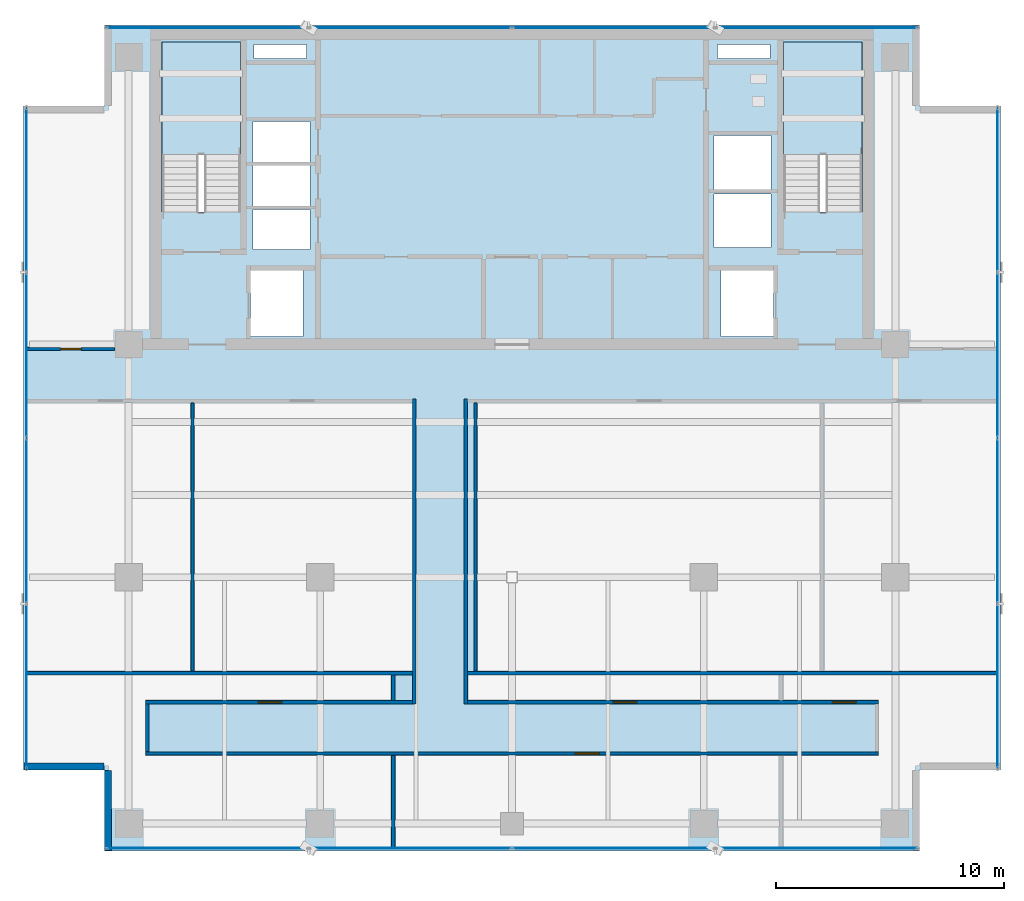
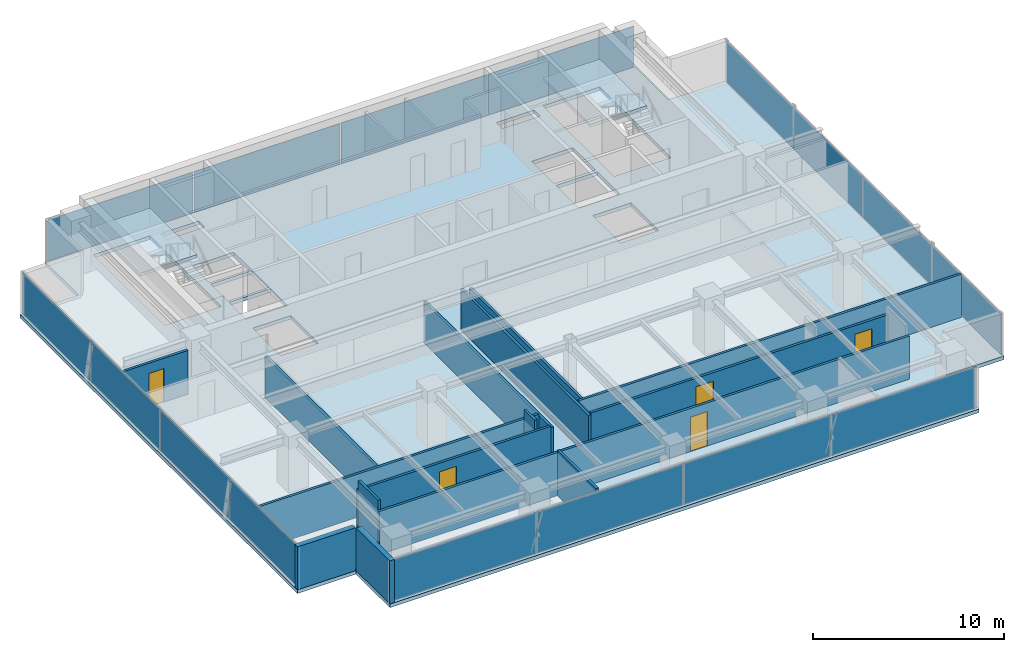
# One storey, part 14 of 22: 16 plates, 15 walls, 5 doors, 3 slabs, 5 openings, 6 elements without a shape of their own.
"""IFC4 building model written with IfcOpenShell, lengths in metres."""

from ifc_helpers import new_model, si_unit, direction, frame, frame_2d, origin, origin_2d, place, context, subcontext, project, spatial, polyline, rectangle, outline, extrude, source, transform, mapped, material, layer, layer_set, type_object, element, fill, aggregate, save


model = new_model("IFC4")

# Units and contexts
model_context = context("Model", 3, precision=1e-05, world=origin(), true_north=direction((0.0, 1.0)))
body_context = subcontext(model_context, "Body", "Model", "MODEL_VIEW")
ifc_project = project(units=[si_unit("LENGTHUNIT", "METRE"), si_unit("AREAUNIT", "SQUARE_METRE"), si_unit("VOLUMEUNIT", "CUBIC_METRE"), si_unit("PLANEANGLEUNIT", "RADIAN"), si_unit("MASSUNIT", "GRAM", prefix="KILO")], contexts=[model_context])

# Site, building, storey
site_placement = place(None, origin())
site = spatial("IfcSite", under=ifc_project, at=site_placement, CompositionType="ELEMENT")
building_placement = place(site_placement, origin())
building = spatial("IfcBuilding", under=site, at=building_placement, Name="Sumidabori Civic Tower", CompositionType="ELEMENT")
storey_placement = place(building_placement, frame((0.0, 0.0, 279.199951171875)))
storey = spatial("IfcBuildingStorey", under=building, at=storey_placement, Name="L73", CompositionType="ELEMENT", Elevation=279.199951171875)

# Stair, slab
ifc_material_1 = material(Name="Concrete C40/50", Category="concrete")
stair_type = type_object("IfcStairType", Name="ST-CORE-1600", PredefinedType="HALF_TURN_STAIR", material=ifc_material_1)
stair_1_placement = place(storey_placement, origin())
stair_1 = element("IfcStair", 1, at=stair_1_placement, inside=storey, type_object=stair_type, Name="L73 ST-1", PredefinedType="HALF_TURN_STAIR")
ifc_layer_1 = layer(ifc_material_1, 0.199951171875, Name="Concrete C40/50")
ifc_layer_set_1 = layer_set([ifc_layer_1], Name="Concrete C40/50")
slab_type_1 = type_object("IfcSlabType", Name="SL-LAND-200", PredefinedType="LANDING", material=ifc_layer_set_1)
slab_1_placement = place(storey_placement, frame((0.0, 0.0, 1.60009765625)))
slab_1 = element("IfcSlab", 2, at=slab_1_placement, type_object=slab_type_1, Name="ST-1 landing 1", PredefinedType="LANDING", context=body_context, shape_type="SweptSolid", body=[
    extrude(outline(polyline([(-11.89990234375, 18.52001953125), (-11.89990234375, 23.449951171875), (-15.340087890625, 23.449951171875), (-15.340087890625, 18.52001953125), (-11.89990234375, 18.52001953125)])), origin(), (0.0, 0.0, 1.0), 0.199951171875),
])
aggregate(stair_1, [slab_1])

stair_2_placement = place(storey_placement, origin())
stair_2 = element("IfcStair", 3, at=stair_2_placement, inside=storey, type_object=stair_type, Name="L73 ST-2", PredefinedType="HALF_TURN_STAIR")
slab_2_placement = place(storey_placement, frame((0.0, 0.0, 1.60009765625)))
slab_2 = element("IfcSlab", 4, at=slab_2_placement, type_object=slab_type_1, Name="ST-2 landing 1", PredefinedType="LANDING", context=body_context, shape_type="SweptSolid", body=[
    extrude(outline(polyline([(15.340087890625, 18.52001953125), (15.340087890625, 23.449951171875), (11.89990234375, 23.449951171875), (11.89990234375, 18.52001953125), (15.340087890625, 18.52001953125)])), origin(), (0.0, 0.0, 1.0), 0.199951171875),
])
aggregate(stair_2, [slab_2])

# Slab
ifc_layer_2 = layer(ifc_material_1, 0.22998046875, Name="Concrete C40/50")
ifc_layer_set_2 = layer_set([ifc_layer_2], Name="Concrete C40/50")
slab_type_2 = type_object("IfcSlabType", Name="SL-Z4-230", PredefinedType="FLOOR", material=ifc_layer_set_2)
slab_3_placement = place(storey_placement, frame((0.0, 0.0, -0.22998046875)))
element("IfcSlab", 5, at=slab_3_placement, inside=storey, type_object=slab_type_2, Name="Structural Slab L73", PredefinedType="FLOOR", context=body_context, shape_type="SweptSolid", body=[
    extrude(outline(polyline([(-17.85009765625, -12.0), (17.85009765625, -12.0), (17.85009765625, -8.449951171875), (21.39990234375, -8.449951171875), (21.39990234375, 20.64990234375), (17.85009765625, 20.64990234375), (17.85009765625, 24.199951171875), (-17.85009765625, 24.199951171875), (-17.85009765625, 20.64990234375), (-21.39990234375, 20.64990234375), (-21.39990234375, -8.449951171875), (-17.85009765625, -8.449951171875), (-17.85009765625, -12.0)]), holes=[polyline([(-11.89990234375, 16.0), (-11.89990234375, 23.449951171875), (-15.340087890625, 23.449951171875), (-15.340087890625, 16.0), (-11.89990234375, 16.0)]), polyline([(15.340087890625, 16.0), (15.340087890625, 23.449951171875), (11.89990234375, 23.449951171875), (11.89990234375, 16.0), (15.340087890625, 16.0)]), polyline([(-11.449951171875, 10.550048828125), (-9.14990234375, 10.550048828125), (-9.14990234375, 13.449951171875), (-11.449951171875, 13.449951171875), (-11.449951171875, 10.550048828125)]), polyline([(9.14990234375, 10.550048828125), (11.449951171875, 10.550048828125), (11.449951171875, 13.449951171875), (9.14990234375, 13.449951171875), (9.14990234375, 10.550048828125)]), polyline([(-11.35009765625, 14.35009765625), (-8.85009765625, 14.35009765625), (-8.85009765625, 16.1201171875), (-11.35009765625, 16.1201171875), (-11.35009765625, 14.35009765625)]), polyline([(-11.35009765625, 16.27001953125), (-8.85009765625, 16.27001953125), (-8.85009765625, 18.0400390625), (-11.35009765625, 18.0400390625), (-11.35009765625, 16.27001953125)]), polyline([(-11.35009765625, 18.18994140625), (-8.85009765625, 18.18994140625), (-8.85009765625, 19.9599609375), (-11.35009765625, 19.9599609375), (-11.35009765625, 18.18994140625)]), polyline([(8.85009765625, 14.449951171875), (11.35009765625, 14.449951171875), (11.35009765625, 16.800048828125), (8.85009765625, 16.800048828125), (8.85009765625, 14.449951171875)]), polyline([(8.85009765625, 17.0), (11.35009765625, 17.0), (11.35009765625, 19.35009765625), (8.85009765625, 19.35009765625), (8.85009765625, 17.0)]), polyline([(-11.300048828125, 22.719970703125), (-9.0, 22.719970703125), (-9.0, 23.35009765625), (-11.300048828125, 23.35009765625), (-11.300048828125, 22.719970703125)]), polyline([(9.0, 22.719970703125), (11.300048828125, 22.719970703125), (11.300048828125, 23.35009765625), (9.0, 23.35009765625), (9.0, 22.719970703125)])]), origin(), (0.0, 0.0, 1.0), 0.22998046875),
])

# Curtain wall, plates
ifc_material_2 = material(Name="Anodised Bronze Aluminium AW-6063-T6", Category="aluminium")
ifc_layer_3 = layer(ifc_material_2, 0.179931640625, Name="Anodised Bronze Aluminium AW-6063-T6")
ifc_layer_set_3 = layer_set([ifc_layer_3], Name="Anodised Bronze Aluminium AW-6063-T6")
curtain_wall_type = type_object("IfcCurtainWallType", Name="CW-SYS-6", PredefinedType="NOTDEFINED", material=ifc_layer_set_3)
curtain_wall_1_placement = place(storey_placement, origin())
curtain_wall_1 = element("IfcCurtainWall", 6, at=curtain_wall_1_placement, inside=storey, type_object=curtain_wall_type, Name="Curtain Wall CW:L73:R01", PredefinedType="NOTDEFINED")
ifc_material_3 = material(Name="Bronze-Tinted Laminated Crown Glazing", Category="glass")
ifc_layer_4 = layer(ifc_material_3, 0.033935546875, Name="Bronze-Tinted Laminated Crown Glazing")
ifc_layer_set_4 = layer_set([ifc_layer_4], Name="Bronze-Tinted Laminated Crown Glazing")
plate_type = type_object("IfcPlateType", Name="CW-PNL-CRN", PredefinedType="CURTAIN_PANEL", material=ifc_layer_set_4)
shared_shape_1 = source(origin(), body_context, "Body", "SweptSolid", [
    extrude(rectangle(XDim=8.804931640625, YDim=0.033935546875, at=origin_2d()), origin(), (0.0, 0.0, 1.0), 2.6201171875),
])
plate_1_placement = place(storey_placement, frame((-13.347412109375, -11.8798828125, 0.06494140625), z_axis=(0.0, 0.0, 1.0), x_axis=(1.0, 0.0, 0.0)))
plate_1 = element("IfcPlate", 7, at=plate_1_placement, type_object=plate_type, Name="CW-6 panel 1.1", PredefinedType="CURTAIN_PANEL", context=body_context, shape_type="MappedRepresentation", body=[
    mapped(shared_shape_1, transform((0.0, 0.0, 0.0), x_axis=(1.0, 0.0, 0.0), y_axis=(0.0, 1.0, 0.0), z_axis=(0.0, 0.0, 1.0), scale=1.0)),
])
plate_2_placement = place(storey_placement, frame((13.347412109375, -11.8798828125, 0.06494140625), z_axis=(0.0, 0.0, 1.0), x_axis=(1.0, 0.0, 0.0)))
plate_2 = element("IfcPlate", 8, at=plate_2_placement, type_object=plate_type, Name="CW-6 panel 4.1", PredefinedType="CURTAIN_PANEL", context=body_context, shape_type="MappedRepresentation", body=[
    mapped(shared_shape_1, transform((0.0, 0.0, 0.0), x_axis=(1.0, 0.0, 0.0), y_axis=(0.0, 1.0, 0.0), z_axis=(0.0, 0.0, 1.0), scale=1.0)),
])

curtain_wall_2_placement = place(storey_placement, origin())
curtain_wall_2 = element("IfcCurtainWall", 9, at=curtain_wall_2_placement, inside=storey, type_object=curtain_wall_type, Name="Curtain Wall CW:L73:R07", PredefinedType="NOTDEFINED")
plate_3_placement = place(storey_placement, frame((13.347412109375, 24.080078125, 0.06494140625), z_axis=(0.0, 0.0, 1.0), x_axis=(-1.0, 0.0, 0.0)))
plate_3 = element("IfcPlate", 10, at=plate_3_placement, type_object=plate_type, Name="CW-6 panel 1.1", PredefinedType="CURTAIN_PANEL", context=body_context, shape_type="MappedRepresentation", body=[
    mapped(shared_shape_1, transform((0.0, 0.0, 0.0), x_axis=(1.0, 0.0, 0.0), y_axis=(0.0, 1.0, 0.0), z_axis=(0.0, 0.0, 1.0), scale=1.0)),
])
plate_4_placement = place(storey_placement, frame((-13.347412109375, 24.080078125, 0.06494140625), z_axis=(0.0, 0.0, 1.0), x_axis=(-1.0, 0.0, 0.0)))
plate_4 = element("IfcPlate", 11, at=plate_4_placement, type_object=plate_type, Name="CW-6 panel 4.1", PredefinedType="CURTAIN_PANEL", context=body_context, shape_type="MappedRepresentation", body=[
    mapped(shared_shape_1, transform((0.0, 0.0, 0.0), x_axis=(1.0, 0.0, 0.0), y_axis=(0.0, 1.0, 0.0), z_axis=(0.0, 0.0, 1.0), scale=1.0)),
])

# Plate
shared_shape_2 = source(origin(), body_context, "Body", "SweptSolid", [
    extrude(rectangle(XDim=8.840087890625, YDim=0.033935546875, at=origin_2d()), origin(), (0.0, 0.0, 1.0), 2.6201171875),
])
plate_5_placement = place(storey_placement, frame((-4.455078125, -11.8798828125, 0.06494140625), z_axis=(0.0, 0.0, 1.0), x_axis=(1.0, 0.0, 0.0)))
plate_5 = element("IfcPlate", 12, at=plate_5_placement, type_object=plate_type, Name="CW-6 panel 2.1", PredefinedType="CURTAIN_PANEL", context=body_context, shape_type="MappedRepresentation", body=[
    mapped(shared_shape_2, transform((0.0, 0.0, 0.0), x_axis=(1.0, 0.0, 0.0), y_axis=(0.0, 1.0, 0.0), z_axis=(0.0, 0.0, 1.0), scale=1.0)),
])

plate_6_placement = place(storey_placement, frame((4.455078125, -11.8798828125, 0.06494140625), z_axis=(0.0, 0.0, 1.0), x_axis=(1.0, 0.0, 0.0)))
plate_6 = element("IfcPlate", 13, at=plate_6_placement, type_object=plate_type, Name="CW-6 panel 3.1", PredefinedType="CURTAIN_PANEL", context=body_context, shape_type="MappedRepresentation", body=[
    mapped(shared_shape_2, transform((0.0, 0.0, 0.0), x_axis=(1.0, 0.0, 0.0), y_axis=(0.0, 1.0, 0.0), z_axis=(0.0, 0.0, 1.0), scale=1.0)),
])

aggregate(curtain_wall_1, [plate_1, plate_5, plate_6, plate_2])

plate_7_placement = place(storey_placement, frame((4.455078125, 24.080078125, 0.06494140625), z_axis=(0.0, 0.0, 1.0), x_axis=(-1.0, 0.0, 0.0)))
plate_7 = element("IfcPlate", 14, at=plate_7_placement, type_object=plate_type, Name="CW-6 panel 2.1", PredefinedType="CURTAIN_PANEL", context=body_context, shape_type="MappedRepresentation", body=[
    mapped(shared_shape_2, transform((0.0, 0.0, 0.0), x_axis=(1.0, 0.0, 0.0), y_axis=(0.0, 1.0, 0.0), z_axis=(0.0, 0.0, 1.0), scale=1.0)),
])

plate_8_placement = place(storey_placement, frame((-4.455078125, 24.080078125, 0.06494140625), z_axis=(0.0, 0.0, 1.0), x_axis=(-1.0, 0.0, 0.0)))
plate_8 = element("IfcPlate", 15, at=plate_8_placement, type_object=plate_type, Name="CW-6 panel 3.1", PredefinedType="CURTAIN_PANEL", context=body_context, shape_type="MappedRepresentation", body=[
    mapped(shared_shape_2, transform((0.0, 0.0, 0.0), x_axis=(1.0, 0.0, 0.0), y_axis=(0.0, 1.0, 0.0), z_axis=(0.0, 0.0, 1.0), scale=1.0)),
])

aggregate(curtain_wall_2, [plate_3, plate_7, plate_8, plate_4])

# Curtain wall, plates
curtain_wall_3_placement = place(storey_placement, origin())
curtain_wall_3 = element("IfcCurtainWall", 16, at=curtain_wall_3_placement, inside=storey, type_object=curtain_wall_type, Name="Curtain Wall CW:L73:R04", PredefinedType="NOTDEFINED")
shared_shape_3 = source(origin(), body_context, "Body", "SweptSolid", [
    extrude(rectangle(XDim=7.155029296875, YDim=0.033935546875, at=origin_2d()), origin(), (0.0, 0.0, 1.0), 2.6201171875),
])
plate_9_placement = place(storey_placement, frame((21.280029296875, -4.7724609375, 0.06494140625), z_axis=(0.0, 0.0, 1.0), x_axis=(0.0, 1.0, 0.0)))
plate_9 = element("IfcPlate", 17, at=plate_9_placement, type_object=plate_type, Name="CW-6 panel 1.1", PredefinedType="CURTAIN_PANEL", context=body_context, shape_type="MappedRepresentation", body=[
    mapped(shared_shape_3, transform((0.0, 0.0, 0.0), x_axis=(1.0, 0.0, 0.0), y_axis=(0.0, 1.0, 0.0), z_axis=(0.0, 0.0, 1.0), scale=1.0)),
])
plate_10_placement = place(storey_placement, frame((21.280029296875, 16.972412109375, 0.06494140625), z_axis=(0.0, 0.0, 1.0), x_axis=(0.0, 1.0, 0.0)))
plate_10 = element("IfcPlate", 18, at=plate_10_placement, type_object=plate_type, Name="CW-6 panel 4.1", PredefinedType="CURTAIN_PANEL", context=body_context, shape_type="MappedRepresentation", body=[
    mapped(shared_shape_3, transform((0.0, 0.0, 0.0), x_axis=(1.0, 0.0, 0.0), y_axis=(0.0, 1.0, 0.0), z_axis=(0.0, 0.0, 1.0), scale=1.0)),
])

curtain_wall_4_placement = place(storey_placement, origin())
curtain_wall_4 = element("IfcCurtainWall", 19, at=curtain_wall_4_placement, inside=storey, type_object=curtain_wall_type, Name="Curtain Wall CW:L73:R10", PredefinedType="NOTDEFINED")
plate_11_placement = place(storey_placement, frame((-21.280029296875, 16.972412109375, 0.06494140625), z_axis=(0.0, 0.0, 1.0), x_axis=(0.0, -1.0, 0.0)))
plate_11 = element("IfcPlate", 20, at=plate_11_placement, type_object=plate_type, Name="CW-6 panel 1.1", PredefinedType="CURTAIN_PANEL", context=body_context, shape_type="MappedRepresentation", body=[
    mapped(shared_shape_3, transform((0.0, 0.0, 0.0), x_axis=(1.0, 0.0, 0.0), y_axis=(0.0, 1.0, 0.0), z_axis=(0.0, 0.0, 1.0), scale=1.0)),
])
plate_12_placement = place(storey_placement, frame((-21.280029296875, -4.7724609375, 0.06494140625), z_axis=(0.0, 0.0, 1.0), x_axis=(0.0, -1.0, 0.0)))
plate_12 = element("IfcPlate", 21, at=plate_12_placement, type_object=plate_type, Name="CW-6 panel 4.1", PredefinedType="CURTAIN_PANEL", context=body_context, shape_type="MappedRepresentation", body=[
    mapped(shared_shape_3, transform((0.0, 0.0, 0.0), x_axis=(1.0, 0.0, 0.0), y_axis=(0.0, 1.0, 0.0), z_axis=(0.0, 0.0, 1.0), scale=1.0)),
])

# Plate
shared_shape_4 = source(origin(), body_context, "Body", "SweptSolid", [
    extrude(rectangle(XDim=7.18994140625, YDim=0.033935546875, at=origin_2d()), origin(), (0.0, 0.0, 1.0), 2.6201171875),
])
plate_13_placement = place(storey_placement, frame((21.280029296875, 2.469970703125, 0.06494140625), z_axis=(0.0, 0.0, 1.0), x_axis=(0.0, 1.0, 0.0)))
plate_13 = element("IfcPlate", 22, at=plate_13_placement, type_object=plate_type, Name="CW-6 panel 2.1", PredefinedType="CURTAIN_PANEL", context=body_context, shape_type="MappedRepresentation", body=[
    mapped(shared_shape_4, transform((0.0, 0.0, 0.0), x_axis=(1.0, 0.0, 0.0), y_axis=(0.0, 1.0, 0.0), z_axis=(0.0, 0.0, 1.0), scale=1.0)),
])

plate_14_placement = place(storey_placement, frame((21.280029296875, 9.72998046875, 0.06494140625), z_axis=(0.0, 0.0, 1.0), x_axis=(0.0, 1.0, 0.0)))
plate_14 = element("IfcPlate", 23, at=plate_14_placement, type_object=plate_type, Name="CW-6 panel 3.1", PredefinedType="CURTAIN_PANEL", context=body_context, shape_type="MappedRepresentation", body=[
    mapped(shared_shape_4, transform((0.0, 0.0, 0.0), x_axis=(1.0, 0.0, 0.0), y_axis=(0.0, 1.0, 0.0), z_axis=(0.0, 0.0, 1.0), scale=1.0)),
])

aggregate(curtain_wall_3, [plate_9, plate_13, plate_14, plate_10])

plate_15_placement = place(storey_placement, frame((-21.280029296875, 9.72998046875, 0.06494140625), z_axis=(0.0, 0.0, 1.0), x_axis=(0.0, -1.0, 0.0)))
plate_15 = element("IfcPlate", 24, at=plate_15_placement, type_object=plate_type, Name="CW-6 panel 2.1", PredefinedType="CURTAIN_PANEL", context=body_context, shape_type="MappedRepresentation", body=[
    mapped(shared_shape_4, transform((0.0, 0.0, 0.0), x_axis=(1.0, 0.0, 0.0), y_axis=(0.0, 1.0, 0.0), z_axis=(0.0, 0.0, 1.0), scale=1.0)),
])

plate_16_placement = place(storey_placement, frame((-21.280029296875, 2.469970703125, 0.06494140625), z_axis=(0.0, 0.0, 1.0), x_axis=(0.0, -1.0, 0.0)))
plate_16 = element("IfcPlate", 25, at=plate_16_placement, type_object=plate_type, Name="CW-6 panel 3.1", PredefinedType="CURTAIN_PANEL", context=body_context, shape_type="MappedRepresentation", body=[
    mapped(shared_shape_4, transform((0.0, 0.0, 0.0), x_axis=(1.0, 0.0, 0.0), y_axis=(0.0, 1.0, 0.0), z_axis=(0.0, 0.0, 1.0), scale=1.0)),
])

aggregate(curtain_wall_4, [plate_11, plate_15, plate_16, plate_12])

# Walls
ifc_material_4 = material(Name="Precast concrete C40/50", Category="concrete")
ifc_layer_5 = layer(ifc_material_4, 0.300048828125, Name="Precast concrete C40/50")
ifc_layer_set_5 = layer_set([ifc_layer_5], Name="Precast concrete C40/50")
wall_type_1 = type_object("IfcWallType", Name="WL-EXT-POD300", PredefinedType="STANDARD", material=ifc_layer_set_5)
shared_shape_5 = source(origin(), body_context, "Body", "SweptSolid", [
    extrude(rectangle(XDim=3.510009765625, YDim=0.300048828125, at=frame_2d((1.7548828125, 0.0))), origin(), (0.0, 0.0, 1.0), 2.75),
])
wall_1_placement = place(storey_placement, frame((-17.699951171875, -8.469970703125, 0.0), z_axis=(0.0, 0.0, 1.0), x_axis=(0.0, -1.0, 0.0)))
element("IfcWall", 26, at=wall_1_placement, inside=storey, type_object=wall_type_1, Name="Notched Corner Spandrel Band L73-12", PredefinedType="STANDARD", context=body_context, shape_type="MappedRepresentation", body=[
    mapped(shared_shape_5, transform((0.0, 0.0, 0.0), x_axis=(1.0, 0.0, 0.0), y_axis=(0.0, 1.0, 0.0), z_axis=(0.0, 0.0, 1.0), scale=1.0)),
])
shared_shape_6 = source(origin(), body_context, "Body", "SweptSolid", [
    extrude(rectangle(XDim=3.509765625, YDim=0.300048828125, at=frame_2d((1.7548828125, 0.0))), origin(), (0.0, 0.0, 1.0), 2.75),
])
wall_2_placement = place(storey_placement, frame((-21.3798828125, -8.300048828125, 0.0), z_axis=(0.0, 0.0, 1.0), x_axis=(1.0, 0.0, 0.0)))
element("IfcWall", 27, at=wall_2_placement, inside=storey, type_object=wall_type_1, Name="Notched Corner Spandrel Band L73-11", PredefinedType="STANDARD", context=body_context, shape_type="MappedRepresentation", body=[
    mapped(shared_shape_6, transform((0.0, 0.0, 0.0), x_axis=(1.0, 0.0, 0.0), y_axis=(0.0, 1.0, 0.0), z_axis=(0.0, 0.0, 1.0), scale=1.0)),
])

# Wall, opening, door
ifc_material_5 = material(Name="Gypsum Plasterboard Acoustic Partition")
ifc_layer_6 = layer(ifc_material_5, 0.14990234375, Name="Gypsum Plasterboard Acoustic Partition")
ifc_layer_set_6 = layer_set([ifc_layer_6], Name="Gypsum Plasterboard Acoustic Partition")
wall_type_2 = type_object("IfcWallType", Name="WL-PART-150", PredefinedType="PARTITIONING", material=ifc_layer_set_6)
shared_shape_7 = source(origin(), body_context, "Body", "SweptSolid", [
    extrude(rectangle(XDim=3.840087890625, YDim=0.14990234375, at=frame_2d((1.919921875, 0.0))), origin(), (0.0, 0.0, 1.0), 2.804931640625),
])
wall_3_placement = place(storey_placement, frame((-21.25, 10.0, 0.0), z_axis=(0.0, 0.0, 1.0), x_axis=(1.0, 0.0, 0.0)))
wall_3 = element("IfcWall", 28, at=wall_3_placement, inside=storey, type_object=wall_type_2, Name="Interior Partition WL:L73:FLK-NW", PredefinedType="PARTITIONING", context=body_context, shape_type="MappedRepresentation", body=[
    mapped(shared_shape_7, transform((0.0, 0.0, 0.0), x_axis=(1.0, 0.0, 0.0), y_axis=(0.0, 1.0, 0.0), z_axis=(0.0, 0.0, 1.0), scale=1.0)),
])
opening_1_placement = place(wall_3_placement, frame((1.469970703125, 0.0, 0.0)))
opening_1 = element("IfcOpeningElement", 29, at=opening_1_placement, cuts=wall_3, Name="Opening DR-1", PredefinedType="OPENING", context=body_context, shape_type="SweptSolid", body=[
    extrude(rectangle(XDim=0.89990234375, YDim=2.14990234375, at=frame_2d((0.449951171875, 1.074951171875))), frame((0.0, 0.0869140625, 0.0), z_axis=(0.0, -1.0, 0.0), x_axis=(1.0, 0.0, 0.0)), (0.0, 0.0, 1.0), 0.173828125),
])
ifc_material_6 = material(Name="Japanese Hinoki Timber", Category="wood")
door_type_1 = type_object("IfcDoorType", Name="DR-INT-900", OperationType="NOTDEFINED", PredefinedType="DOOR", material=ifc_material_6)
shared_shape_8 = source(origin(), body_context, "Body", "SweptSolid", [
    extrude(rectangle(XDim=0.89990234375, YDim=2.14990234375, at=frame_2d((0.449951171875, 1.074951171875))), frame((0.0, 0.02490234375, 0.0), z_axis=(0.0, -1.0, 0.0), x_axis=(1.0, 0.0, 0.0)), (0.0, 0.0, 1.0), 0.050048828125),
])
door_1_placement = place(opening_1_placement, origin())
door_1 = element("IfcDoor", 30, at=door_1_placement, inside=storey, type_object=door_type_1, Name="Door DR:L73:FLK-NW", OperationType="SINGLE_SWING_LEFT", OverallHeight=2.14990234375, OverallWidth=0.89990234375, PredefinedType="DOOR", context=body_context, shape_type="MappedRepresentation", body=[
    mapped(shared_shape_8, transform((0.0, 0.0, 0.0), x_axis=(1.0, 0.0, 0.0), y_axis=(0.0, 1.0, 0.0), z_axis=(0.0, 0.0, 1.0), scale=1.0)),
])
fill(opening_1, door_1)

shared_shape_9 = source(origin(), body_context, "Body", "SweptSolid", [
    extrude(rectangle(XDim=11.699951171875, YDim=0.14990234375, at=frame_2d((5.85009765625, 0.0))), origin(), (0.0, 0.0, 1.0), 2.755126953125),
])
wall_4_placement = place(storey_placement, frame((-16.050048828125, -5.47509765625, 0.0), z_axis=(0.0, 0.0, 1.0), x_axis=(1.0, 0.0, 0.0)))
wall_4 = element("IfcWall", 31, at=wall_4_placement, inside=storey, type_object=wall_type_2, Name="Interior Partition WL:L73:CORR-MNW", PredefinedType="PARTITIONING", context=body_context, shape_type="MappedRepresentation", body=[
    mapped(shared_shape_9, transform((0.0, 0.0, 0.0), x_axis=(1.0, 0.0, 0.0), y_axis=(0.0, 1.0, 0.0), z_axis=(0.0, 0.0, 1.0), scale=1.0)),
])
opening_2_placement = place(wall_4_placement, frame((4.927490234375, 0.0, 0.0)))
opening_2 = element("IfcOpeningElement", 32, at=opening_2_placement, cuts=wall_4, Name="Opening DR-4", PredefinedType="OPENING", context=body_context, shape_type="SweptSolid", body=[
    extrude(rectangle(XDim=1.0400390625, YDim=2.199951171875, at=frame_2d((0.52001953125, 1.10009765625))), frame((0.0, 0.0869140625, 0.0), z_axis=(0.0, -1.0, 0.0), x_axis=(1.0, 0.0, 0.0)), (0.0, 0.0, 1.0), 0.173828125),
])
door_type_2 = type_object("IfcDoorType", Name="DR-INT-1040", OperationType="NOTDEFINED", PredefinedType="DOOR", material=ifc_material_6)
shared_shape_10 = source(origin(), body_context, "Body", "SweptSolid", [
    extrude(rectangle(XDim=1.0400390625, YDim=2.199951171875, at=frame_2d((0.52001953125, 1.10009765625))), frame((0.0, 0.02490234375, 0.0), z_axis=(0.0, -1.0, 0.0), x_axis=(1.0, 0.0, 0.0)), (0.0, 0.0, 1.0), 0.050048828125),
])
door_2_placement = place(opening_2_placement, origin())
door_2 = element("IfcDoor", 33, at=door_2_placement, inside=storey, type_object=door_type_2, Name="Door DR:L73:D09", OperationType="SINGLE_SWING_LEFT", OverallHeight=2.199951171875, OverallWidth=1.0400390625, PredefinedType="DOOR", context=body_context, shape_type="MappedRepresentation", body=[
    mapped(shared_shape_10, transform((0.0, 0.0, 0.0), x_axis=(1.0, 0.0, 0.0), y_axis=(0.0, 1.0, 0.0), z_axis=(0.0, 0.0, 1.0), scale=1.0)),
])
fill(opening_2, door_2)

# Wall, openings, doors
shared_shape_11 = source(origin(), body_context, "Body", "SweptSolid", [
    extrude(rectangle(XDim=18.0, YDim=0.14990234375, at=frame_2d((9.0, 0.0))), origin(), (0.0, 0.0, 1.0), 2.755126953125),
])
wall_5_placement = place(storey_placement, frame((-1.949951171875, -5.47509765625, 0.0), z_axis=(0.0, 0.0, 1.0), x_axis=(1.0, 0.0, 0.0)))
wall_5 = element("IfcWall", 34, at=wall_5_placement, inside=storey, type_object=wall_type_2, Name="Interior Partition WL:L73:CORR-MNE", PredefinedType="PARTITIONING", context=body_context, shape_type="MappedRepresentation", body=[
    mapped(shared_shape_11, transform((0.0, 0.0, 0.0), x_axis=(1.0, 0.0, 0.0), y_axis=(0.0, 1.0, 0.0), z_axis=(0.0, 0.0, 1.0), scale=1.0)),
])
opening_3_placement = place(wall_5_placement, frame((6.37744140625, 0.0, 0.0)))
opening_3 = element("IfcOpeningElement", 35, at=opening_3_placement, cuts=wall_5, Name="Opening DR-4", PredefinedType="OPENING", context=body_context, shape_type="SweptSolid", body=[
    extrude(rectangle(XDim=1.0400390625, YDim=2.199951171875, at=frame_2d((0.52001953125, 1.10009765625))), frame((0.0, 0.0869140625, 0.0), z_axis=(0.0, -1.0, 0.0), x_axis=(1.0, 0.0, 0.0)), (0.0, 0.0, 1.0), 0.173828125),
])
opening_4_placement = place(wall_5_placement, frame((15.992431640625, 0.0, 0.0)))
opening_4 = element("IfcOpeningElement", 36, at=opening_4_placement, cuts=wall_5, Name="Opening DR-4", PredefinedType="OPENING", context=body_context, shape_type="SweptSolid", body=[
    extrude(rectangle(XDim=1.0400390625, YDim=2.199951171875, at=frame_2d((0.52001953125, 1.10009765625))), frame((0.0, 0.0869140625, 0.0), z_axis=(0.0, -1.0, 0.0), x_axis=(1.0, 0.0, 0.0)), (0.0, 0.0, 1.0), 0.173828125),
])
door_3_placement = place(opening_3_placement, origin())
door_3 = element("IfcDoor", 37, at=door_3_placement, inside=storey, type_object=door_type_2, Name="Door DR:L73:D07", OperationType="SINGLE_SWING_LEFT", OverallHeight=2.199951171875, OverallWidth=1.0400390625, PredefinedType="DOOR", context=body_context, shape_type="MappedRepresentation", body=[
    mapped(shared_shape_10, transform((0.0, 0.0, 0.0), x_axis=(1.0, 0.0, 0.0), y_axis=(0.0, 1.0, 0.0), z_axis=(0.0, 0.0, 1.0), scale=1.0)),
])
fill(opening_3, door_3)
door_4_placement = place(opening_4_placement, origin())
door_4 = element("IfcDoor", 38, at=door_4_placement, inside=storey, type_object=door_type_2, Name="Door DR:L73:D08", OperationType="SINGLE_SWING_RIGHT", OverallHeight=2.199951171875, OverallWidth=1.0400390625, PredefinedType="DOOR", context=body_context, shape_type="MappedRepresentation", body=[
    mapped(shared_shape_10, transform((0.0, 0.0, 0.0), x_axis=(1.0, 0.0, 0.0), y_axis=(0.0, 1.0, 0.0), z_axis=(0.0, 0.0, 1.0), scale=1.0)),
])
fill(opening_4, door_4)

# Wall, opening, door
shared_shape_12 = source(origin(), body_context, "Body", "SweptSolid", [
    extrude(rectangle(XDim=32.10009765625, YDim=0.14990234375, at=frame_2d((16.050048828125, 0.0))), origin(), (0.0, 0.0, 1.0), 2.755126953125),
])
wall_6_placement = place(storey_placement, frame((-16.050048828125, -7.72509765625, 0.0), z_axis=(0.0, 0.0, 1.0), x_axis=(1.0, 0.0, 0.0)))
wall_6 = element("IfcWall", 39, at=wall_6_placement, inside=storey, type_object=wall_type_2, Name="Interior Partition WL:L73:CORR-SS", PredefinedType="PARTITIONING", context=body_context, shape_type="MappedRepresentation", body=[
    mapped(shared_shape_12, transform((0.0, 0.0, 0.0), x_axis=(1.0, 0.0, 0.0), y_axis=(0.0, 1.0, 0.0), z_axis=(0.0, 0.0, 1.0), scale=1.0)),
])
opening_5_placement = place(wall_6_placement, frame((18.830078125, 0.0, 0.0)))
opening_5 = element("IfcOpeningElement", 40, at=opening_5_placement, cuts=wall_6, Name="Opening DR-4", PredefinedType="OPENING", context=body_context, shape_type="SweptSolid", body=[
    extrude(rectangle(XDim=1.0400390625, YDim=2.199951171875, at=frame_2d((0.52001953125, 1.10009765625))), frame((0.0, 0.0869140625, 0.0), z_axis=(0.0, -1.0, 0.0), x_axis=(1.0, 0.0, 0.0)), (0.0, 0.0, 1.0), 0.173828125),
])
door_5_placement = place(opening_5_placement, origin())
door_5 = element("IfcDoor", 41, at=door_5_placement, inside=storey, type_object=door_type_2, Name="Door DR:L73:D10", OperationType="SINGLE_SWING_RIGHT", OverallHeight=2.199951171875, OverallWidth=1.0400390625, PredefinedType="DOOR", context=body_context, shape_type="MappedRepresentation", body=[
    mapped(shared_shape_10, transform((0.0, 0.0, 0.0), x_axis=(1.0, 0.0, 0.0), y_axis=(0.0, 1.0, 0.0), z_axis=(0.0, 0.0, 1.0), scale=1.0)),
])
fill(opening_5, door_5)

# Walls
shared_shape_13 = source(origin(), body_context, "Body", "SweptSolid", [
    extrude(rectangle(XDim=13.35009765625, YDim=0.14990234375, at=frame_2d((6.675048828125, 0.0))), origin(), (0.0, 0.0, 1.0), 2.655029296875),
])
for number, where, z_axis, x_axis, name in (
    (42, (-4.27490234375, -5.550048828125, 0.0), (0.0, 0.0, 1.0), (0.0, 1.0, 0.0), "Interior Partition WL:L73:CORR-VC-W"),
    (43, (-2.02490234375, -5.550048828125, 0.0), (0.0, 0.0, 1.0), (0.0, 1.0, 0.0), "Interior Partition WL:L73:CORR-VC-E"),
):
    element("IfcWall", number, at=place(storey_placement, frame(where, z_axis=z_axis, x_axis=x_axis)), inside=storey, type_object=wall_type_2, Name=name, PredefinedType="PARTITIONING", context=body_context, shape_type="MappedRepresentation", body=[
        mapped(shared_shape_13, transform((0.0, 0.0, 0.0), x_axis=(1.0, 0.0, 0.0), y_axis=(0.0, 1.0, 0.0), z_axis=(0.0, 0.0, 1.0), scale=1.0)),
    ])
shared_shape_14 = source(origin(), body_context, "Body", "SweptSolid", [
    extrude(rectangle(XDim=2.090087890625, YDim=0.14990234375, at=frame_2d((1.044921875, 0.0))), origin(), (0.0, 0.0, 1.0), 3.3701171875),
])
wall_7_placement = place(storey_placement, frame((-15.97509765625, -7.64501953125, 0.0), z_axis=(0.0, 0.0, 1.0), x_axis=(0.0, 1.0, 0.0)))
element("IfcWall", 44, at=wall_7_placement, inside=storey, type_object=wall_type_2, Name="Interior Partition WL:L73:CORR-VSW", PredefinedType="PARTITIONING", context=body_context, shape_type="MappedRepresentation", body=[
    mapped(shared_shape_14, transform((0.0, 0.0, 0.0), x_axis=(1.0, 0.0, 0.0), y_axis=(0.0, 1.0, 0.0), z_axis=(0.0, 0.0, 1.0), scale=1.0)),
])
shared_shape_15 = source(origin(), body_context, "Body", "SweptSolid", [
    extrude(rectangle(XDim=16.89501953125, YDim=0.14990234375, at=frame_2d((8.447509765625, 0.0))), origin(), (0.0, 0.0, 1.0), 2.755126953125),
])
wall_8_placement = place(storey_placement, frame((-21.25, -4.199951171875, 0.0), z_axis=(0.0, 0.0, 1.0), x_axis=(1.0, 0.0, 0.0)))
element("IfcWall", 45, at=wall_8_placement, inside=storey, type_object=wall_type_2, Name="Interior Partition WL:L73:BAND-Y-1", PredefinedType="PARTITIONING", context=body_context, shape_type="MappedRepresentation", body=[
    mapped(shared_shape_15, transform((0.0, 0.0, 0.0), x_axis=(1.0, 0.0, 0.0), y_axis=(0.0, 1.0, 0.0), z_axis=(0.0, 0.0, 1.0), scale=1.0)),
])
shared_shape_16 = source(origin(), body_context, "Body", "SweptSolid", [
    extrude(rectangle(XDim=23.195068359375, YDim=0.14990234375, at=frame_2d((11.59765625, 0.0))), origin(), (0.0, 0.0, 1.0), 2.755126953125),
])
wall_9_placement = place(storey_placement, frame((-1.945068359375, -4.199951171875, 0.0), z_axis=(0.0, 0.0, 1.0), x_axis=(1.0, 0.0, 0.0)))
element("IfcWall", 46, at=wall_9_placement, inside=storey, type_object=wall_type_2, Name="Interior Partition WL:L73:BAND-Y-2", PredefinedType="PARTITIONING", context=body_context, shape_type="MappedRepresentation", body=[
    mapped(shared_shape_16, transform((0.0, 0.0, 0.0), x_axis=(1.0, 0.0, 0.0), y_axis=(0.0, 1.0, 0.0), z_axis=(0.0, 0.0, 1.0), scale=1.0)),
])
shared_shape_17 = source(origin(), body_context, "Body", "SweptSolid", [
    extrude(rectangle(XDim=11.76513671875, YDim=0.14990234375, at=frame_2d((5.882568359375, 0.0))), origin(), (0.0, 0.0, 1.0), 2.655029296875),
])
for number, where, z_axis, x_axis, name in (
    (47, (-14.0, -4.1201171875, 0.0), (0.0, 0.0, 1.0), (0.0, 1.0, 0.0), "Interior Partition WL:L73:VX-N1"),
    (48, (-1.60009765625, -4.1201171875, 0.0), (0.0, 0.0, 1.0), (0.0, 1.0, 0.0), "Interior Partition WL:L73:VX-N2"),
):
    element("IfcWall", number, at=place(storey_placement, frame(where, z_axis=z_axis, x_axis=x_axis)), inside=storey, type_object=wall_type_2, Name=name, PredefinedType="PARTITIONING", context=body_context, shape_type="MappedRepresentation", body=[
        mapped(shared_shape_17, transform((0.0, 0.0, 0.0), x_axis=(1.0, 0.0, 0.0), y_axis=(0.0, 1.0, 0.0), z_axis=(0.0, 0.0, 1.0), scale=1.0)),
    ])
shared_shape_18 = source(origin(), body_context, "Body", "SweptSolid", [
    extrude(rectangle(XDim=4.045166015625, YDim=0.14990234375, at=frame_2d((2.0224609375, 0.0))), origin(), (0.0, 0.0, 1.0), 2.905029296875),
])
wall_10_placement = place(storey_placement, frame((-5.199951171875, -11.85009765625, 0.0), z_axis=(0.0, 0.0, 1.0), x_axis=(0.0, 1.0, 0.0)))
element("IfcWall", 49, at=wall_10_placement, inside=storey, type_object=wall_type_2, Name="Interior Partition WL:L73:VX-S1-1", PredefinedType="PARTITIONING", context=body_context, shape_type="MappedRepresentation", body=[
    mapped(shared_shape_18, transform((0.0, 0.0, 0.0), x_axis=(1.0, 0.0, 0.0), y_axis=(0.0, 1.0, 0.0), z_axis=(0.0, 0.0, 1.0), scale=1.0)),
])
shared_shape_19 = source(origin(), body_context, "Body", "SweptSolid", [
    extrude(rectangle(XDim=1.114990234375, YDim=0.14990234375, at=frame_2d((0.5576171875, 0.0))), origin(), (0.0, 0.0, 1.0), 3.3701171875),
])
wall_11_placement = place(storey_placement, frame((-5.199951171875, -5.39501953125, 0.0), z_axis=(0.0, 0.0, 1.0), x_axis=(0.0, 1.0, 0.0)))
element("IfcWall", 50, at=wall_11_placement, inside=storey, type_object=wall_type_2, Name="Interior Partition WL:L73:VX-S1-2", PredefinedType="PARTITIONING", context=body_context, shape_type="MappedRepresentation", body=[
    mapped(shared_shape_19, transform((0.0, 0.0, 0.0), x_axis=(1.0, 0.0, 0.0), y_axis=(0.0, 1.0, 0.0), z_axis=(0.0, 0.0, 1.0), scale=1.0)),
])

save(model, "model.ifc")
